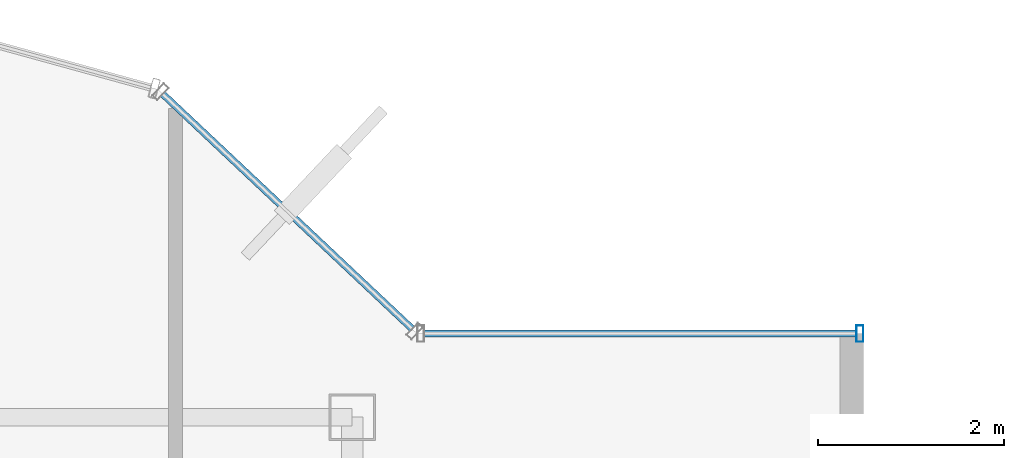
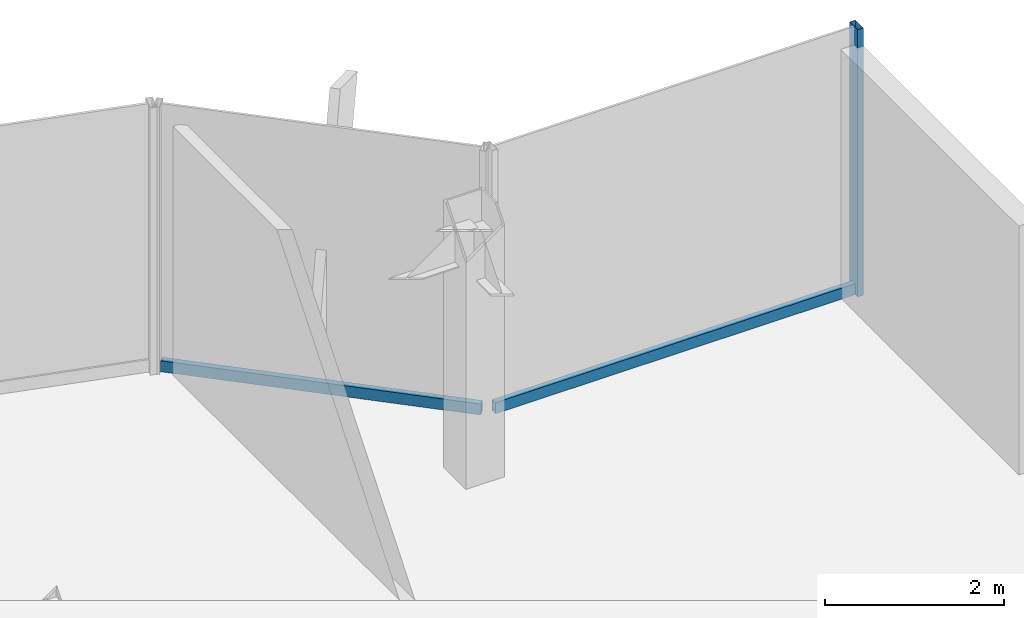
# One storey, part 15 of 22: 3 members, 2 elements without a shape of their own.
"""IFC4 building model written with IfcOpenShell, lengths in metres."""

import ifcopenshell
import ifcopenshell.guid

model = None  # the IFC model being written
_history = None  # IfcOwnerHistory: only IFC2X3 demands one
_inside = {}  # id of a spatial element -> (the spatial element, [elements in it])
_under = {}  # id of a project, library or spatial element -> (it, [spatial elements below it])
_declared = {}  # id of a project -> (the project, [libraries it declares])
_typed = {}  # id of a type object -> (the type object, [elements of that type])
_made_of = {}  # id of a material, layer set ... -> (it, [elements and type objects made of it])


def new_model(schema):
    """Start an empty IFC model of exactly this schema.

    Asked for "IFC4X3", IfcOpenShell would pick the latest addendum, in which some entities
    have other attributes; the version numbers below select the first issue.
    IFC2X3 requires an IfcOwnerHistory on every rooted entity: one is made here for all.
    """
    global model, _history
    if schema == "IFC4X3":
        model = ifcopenshell.file(schema_version=(4, 3, 0, 0))
    else:
        model = ifcopenshell.file(schema=schema)
    _inside.clear()
    _under.clear()
    _declared.clear()
    _typed.clear()
    _made_of.clear()
    _history = None
    if model.schema == "IFC2X3":
        org = make("IfcOrganization", Name="unknown")
        user = make(
            "IfcPersonAndOrganization",
            ThePerson=make("IfcPerson", FamilyName="unknown"),
            TheOrganization=org,
        )
        app = make(
            "IfcApplication",
            ApplicationDeveloper=org,
            Version="unknown",
            ApplicationFullName="unknown",
            ApplicationIdentifier="unknown",
        )
        _history = make(
            "IfcOwnerHistory",
            OwningUser=user,
            OwningApplication=app,
            ChangeAction="ADDED",
            CreationDate=0,
        )
    return model


def make(cls, **values):
    """One entity of the class cls with the attributes given. An attribute that is None is left unset."""
    return model.create_entity(
        cls, **{name: value for name, value in values.items() if value is not None}
    )


def rooted(cls, **values):
    """An entity with a GlobalId (a new one), such as an element, a storey or a relation."""
    return make(cls, GlobalId=ifcopenshell.guid.new(), OwnerHistory=_history, **values)


def si_unit(unit_type, name, prefix=None):
    """IfcSIUnit, for example si_unit("LENGTHUNIT", "METRE", prefix="MILLI")."""
    return make("IfcSIUnit", UnitType=unit_type, Prefix=prefix, Name=name)


def derived_unit(unit_type, elements):
    """IfcDerivedUnit: a product of units, each with its exponent."""
    return make(
        "IfcDerivedUnit",
        Elements=[
            make("IfcDerivedUnitElement", Unit=unit, Exponent=power)
            for unit, power in elements
        ],
        UnitType=unit_type,
    )


def assignment(units):
    """IfcUnitAssignment: the units of a project."""
    return None if units is None else make("IfcUnitAssignment", Units=units)


def point(xyz):
    """IfcCartesianPoint."""
    return None if xyz is None else make("IfcCartesianPoint", Coordinates=xyz)


def direction(xyz):
    """IfcDirection."""
    return None if xyz is None else make("IfcDirection", DirectionRatios=xyz)


def frame(location, z_axis=None, x_axis=None):
    """IfcAxis2Placement3D, a coordinate frame: its origin and axes. An axis left out is left unset."""
    return make(
        "IfcAxis2Placement3D",
        Location=point(location),
        Axis=direction(z_axis),
        RefDirection=direction(x_axis),
    )


def frame_2d(location, x_axis=None):
    """IfcAxis2Placement2D, a coordinate frame in the plane: its origin and x axis."""
    return make(
        "IfcAxis2Placement2D", Location=point(location), RefDirection=direction(x_axis)
    )


def origin():
    """The frame at (0, 0, 0) with its axes left unset."""
    return frame((0.0, 0.0, 0.0))


def origin_2d():
    """The frame at (0, 0) in the plane with its x axis left unset."""
    return frame_2d((0.0, 0.0))


def place(relative_to, where):
    """IfcLocalPlacement: puts the frame where relative to a parent placement (None: the world)."""
    return make(
        "IfcLocalPlacement", PlacementRelTo=relative_to, RelativePlacement=where
    )


def context(
    kind, dimensions, precision=None, world=None, true_north=None, identifier=None
):
    """IfcGeometricRepresentationContext, for example the 3D "Model" context."""
    return make(
        "IfcGeometricRepresentationContext",
        ContextIdentifier=identifier,
        ContextType=kind,
        CoordinateSpaceDimension=dimensions,
        Precision=precision,
        WorldCoordinateSystem=world,
        TrueNorth=true_north,
    )


def subcontext(parent, identifier, kind, view, scale=None):
    """IfcGeometricRepresentationSubContext, for example "Body" below "Model"."""
    return make(
        "IfcGeometricRepresentationSubContext",
        ContextIdentifier=identifier,
        ContextType=kind,
        ParentContext=parent,
        TargetScale=scale,
        TargetView=view,
    )


def project(units=None, contexts=None):
    """IfcProject with its units and contexts."""
    return rooted(
        "IfcProject",
        Name="project",
        RepresentationContexts=contexts,
        UnitsInContext=assignment(units),
    )


def spatial(cls, under=None, at=None, **own):
    """A site, building, storey or space (cls), placed at a placement, below another one or the project."""
    s = rooted(cls, ObjectPlacement=at, **own)
    if under is not None:
        _under.setdefault(under.id(), (under, []))[1].append(s)
    return s


def profile(cls, at=None, kind="AREA", **sizes):
    """A parametric profile (cls). Its sizes go by their IFC names, for example OverallWidth=200.0."""
    return make(cls, ProfileType=kind, Position=at, **sizes)


def hollow_rectangle(**sizes):
    """IfcRectangleHollowProfileDef."""
    return profile("IfcRectangleHollowProfileDef", **sizes)


def extrude(swept, where, along, depth):
    """IfcExtrudedAreaSolid: the profile swept, set in the frame where, extruded along a direction by depth."""
    return make(
        "IfcExtrudedAreaSolid",
        SweptArea=swept,
        Position=where,
        ExtrudedDirection=direction(along),
        Depth=depth,
    )


def shape(context_of_items, identifier, shape_type, items):
    """IfcShapeRepresentation: the items that make up one representation, for example the "Body"."""
    return make(
        "IfcShapeRepresentation",
        ContextOfItems=context_of_items,
        RepresentationIdentifier=identifier,
        RepresentationType=shape_type,
        Items=items,
    )


def source(mapping_origin, context_of_items, identifier, shape_type, items):
    """IfcRepresentationMap: a shape defined once, which mapped items show again and again."""
    return make(
        "IfcRepresentationMap",
        MappingOrigin=mapping_origin,
        MappedRepresentation=shape(context_of_items, identifier, shape_type, items),
    )


def transform(
    local_origin,
    x_axis=None,
    y_axis=None,
    z_axis=None,
    scale=None,
    scale2=None,
    scale3=None,
    uniform=True,
):
    """IfcCartesianTransformationOperator3D, or its non-uniform kind. x_axis, y_axis, z_axis: its Axis1, 2, 3."""
    if uniform:
        return make(
            "IfcCartesianTransformationOperator3D",
            Axis1=direction(x_axis),
            Axis2=direction(y_axis),
            LocalOrigin=point(local_origin),
            Scale=scale,
            Axis3=direction(z_axis),
        )
    return make(
        "IfcCartesianTransformationOperator3DnonUniform",
        Axis1=direction(x_axis),
        Axis2=direction(y_axis),
        LocalOrigin=point(local_origin),
        Scale=scale,
        Axis3=direction(z_axis),
        Scale2=scale2,
        Scale3=scale3,
    )


def mapped(mapping_source, mapping_target):
    """IfcMappedItem: shows the shape of a source again, moved by a transform."""
    return make(
        "IfcMappedItem", MappingSource=mapping_source, MappingTarget=mapping_target
    )


def material(Name=None, Category=None):
    """IfcMaterial."""
    return make("IfcMaterial", Name=Name, Category=Category)


def material_profile(
    of_material, cross_section, Name=None, Category=None, Priority=None
):
    """IfcMaterialProfile: a cross section and its material."""
    return make(
        "IfcMaterialProfile",
        Name=Name,
        Material=of_material,
        Profile=cross_section,
        Priority=Priority,
        Category=Category,
    )


def profile_set(profiles, Name=None, composite=None):
    """IfcMaterialProfileSet."""
    return make(
        "IfcMaterialProfileSet",
        Name=Name,
        MaterialProfiles=profiles,
        CompositeProfile=composite,
    )


def made_of(thing, what):
    """Note that an element or type object is made of a material, layer set ...; save() writes the relation."""
    if what is not None:
        _made_of.setdefault(what.id(), (what, []))[1].append(thing)
    return thing


def type_object(cls, material=None, **own):
    """A type object (cls), such as IfcWallType, which elements share."""
    return made_of(rooted(cls, **own), material)


def element(
    cls,
    number,
    at=None,
    inside=None,
    cuts=None,
    type_object=None,
    material=None,
    context=None,
    identifier="Body",
    shape_type=None,
    held_by="IfcProductDefinitionShape",
    body=None,
    shapes=None,
    **own,
):
    """One element of the class cls, such as IfcWall. Its Tag is "e" and its number.

    at: its placement. inside: the storey or other place that contains it. cuts: it is an
    opening in that element (IfcRelVoidsElement). A single representation is given by context,
    identifier, shape_type and body (its items); several are given by shapes. held_by: the class
    of the entity that holds the representations. save() writes the other relations.
    """
    e = rooted(cls, Tag="e%d" % number, ObjectPlacement=at, **own)
    if body is not None:
        shapes = [shape(context, identifier, shape_type, body)]
    if shapes is not None:
        e.Representation = make(held_by, Representations=shapes)
    if inside is not None:
        _inside.setdefault(inside.id(), (inside, []))[1].append(e)
    if cuts is not None:
        rooted(
            "IfcRelVoidsElement", RelatingBuildingElement=cuts, RelatedOpeningElement=e
        )
    if type_object is not None:
        _typed.setdefault(type_object.id(), (type_object, []))[1].append(e)
    return made_of(e, material)


def aggregate(whole, parts):
    """IfcRelAggregates: a whole, such as a stair, and the parts it consists of."""
    return rooted("IfcRelAggregates", RelatingObject=whole, RelatedObjects=parts)


def save(model, path):
    """Write the relations noted so far, then the file.

    IfcRelAggregates (storeys below a building ...), IfcRelContainedInSpatialStructure (elements
    in a storey), IfcRelDefinesByType, IfcRelAssociatesMaterial and IfcRelDeclares: one each for
    every whole, place, type object, material and project.
    """
    for whole, parts in _under.values():
        aggregate(whole, parts)
    for where, things in _inside.values():
        rooted(
            "IfcRelContainedInSpatialStructure",
            RelatedElements=things,
            RelatingStructure=where,
        )
    for kind, things in _typed.values():
        rooted("IfcRelDefinesByType", RelatedObjects=things, RelatingType=kind)
    for what, things in _made_of.values():
        rooted("IfcRelAssociatesMaterial", RelatedObjects=things, RelatingMaterial=what)
    for by, libraries in _declared.values():
        rooted("IfcRelDeclares", RelatingContext=by, RelatedDefinitions=libraries)
    model.write(path)


model = new_model("IFC4")

# Units and contexts
model_context = context("Model", 3, precision=1e-05, world=origin(), true_north=direction((0.0, 1.0)))
body_context = subcontext(model_context, "Body", "Model", "MODEL_VIEW")
ifc_project = project(units=[si_unit("LENGTHUNIT", "METRE"), si_unit("AREAUNIT", "SQUARE_METRE"), si_unit("VOLUMEUNIT", "CUBIC_METRE"), si_unit("PLANEANGLEUNIT", "RADIAN"), si_unit("MASSUNIT", "GRAM", prefix="KILO"), derived_unit("THERMALTRANSMITTANCEUNIT", [(si_unit("POWERUNIT", "WATT"), 1), (si_unit("LENGTHUNIT", "METRE"), -2), (si_unit("THERMODYNAMICTEMPERATUREUNIT", "KELVIN"), -1)])], contexts=[model_context])

# Site, building, storey
site_placement = place(None, origin())
site = spatial("IfcSite", under=ifc_project, at=site_placement, CompositionType="ELEMENT")
building_placement = place(site_placement, origin())
building = spatial("IfcBuilding", under=site, at=building_placement, Name="Skarnbrae Concourse Arena and Tower", CompositionType="ELEMENT")
storey_placement = place(building_placement, frame((0.0, 0.0, 206.85009765625)))
storey = spatial("IfcBuildingStorey", under=building, at=storey_placement, Name="L53", CompositionType="ELEMENT", Elevation=206.85009765625)

# Curtain wall, members
ifc_material = material(Name="Bronze anodised aluminium 6063-T6", Category="aluminium")
curtain_wall_type = type_object("IfcCurtainWallType", Name="CW-SYS-05-HIGHZONE", PredefinedType="USERDEFINED", material=ifc_material)
curtain_wall_1_placement = place(storey_placement, origin())
curtain_wall_1 = element("IfcCurtainWall", 1, at=curtain_wall_1_placement, inside=storey, type_object=curtain_wall_type, Name="L53 Unitised curtain wall CW-L53-E07", ObjectType="UNITISED CURTAIN WALL", PredefinedType="USERDEFINED")
ifc_material_profile_1 = material_profile(ifc_material, hollow_rectangle(XDim=0.074951171875, YDim=0.179931640625, WallThickness=0.00390625, at=origin_2d()), Name="ALU-MULL-75X180")
ifc_profile_set_1 = profile_set([ifc_material_profile_1], Name="Bronze anodised aluminium 6063-T6")
member_type_1 = type_object("IfcMemberType", Name="CWM-CW-05", PredefinedType="MULLION", material=ifc_profile_set_1)
shared_shape_1 = source(origin(), body_context, "Body", "SweptSolid", [
    extrude(hollow_rectangle(XDim=0.074951171875, YDim=0.179931640625, WallThickness=0.00390625, at=origin_2d()), origin(), (0.0, 0.0, 1.0), 3.64990234375),
])
member_1_placement = place(storey_placement, frame((38.96240234375, 35.300048828125, 0.0), z_axis=(0.0, 0.0, 1.0), x_axis=(-1.0, 0.0, 0.0)))
member_1 = element("IfcMember", 2, at=member_1_placement, type_object=member_type_1, Name="CW-L53-E07 Mullion 1", PredefinedType="MULLION", context=body_context, shape_type="MappedRepresentation", body=[
    mapped(shared_shape_1, transform((0.0, 0.0, 0.0))),
])
ifc_material_profile_2 = material_profile(ifc_material, hollow_rectangle(XDim=0.074951171875, YDim=0.14990234375, WallThickness=0.00390625, at=origin_2d()), Name="ALU-TRAN-75X150")
ifc_profile_set_2 = profile_set([ifc_material_profile_2], Name="Bronze anodised aluminium 6063-T6")
member_type_2 = type_object("IfcMemberType", Name="CWT-CW-05", PredefinedType="USERDEFINED", material=ifc_profile_set_2)
shared_shape_2 = source(origin(), body_context, "Body", "SweptSolid", [
    extrude(hollow_rectangle(XDim=0.074951171875, YDim=0.14990234375, WallThickness=0.00390625, at=origin_2d()), origin(), (0.0, 0.0, 1.0), 4.650146484375),
])
member_2_placement = place(storey_placement, frame((38.925048828125, 35.300048828125, 0.074951171875), z_axis=(-1.0, 0.0, 0.0), x_axis=(0.0, -1.0, 0.0)))
member_2 = element("IfcMember", 3, at=member_2_placement, type_object=member_type_2, Name="CW-L53-E07 Transom 1", ObjectType="TRANSOM", PredefinedType="USERDEFINED", context=body_context, shape_type="MappedRepresentation", body=[
    mapped(shared_shape_2, transform((0.0, 0.0, 0.0))),
])
aggregate(curtain_wall_1, [member_1, member_2])

# Curtain wall, member
curtain_wall_2_placement = place(storey_placement, origin())
curtain_wall_2 = element("IfcCurtainWall", 4, at=curtain_wall_2_placement, inside=storey, type_object=curtain_wall_type, Name="L53 Unitised curtain wall CW-L53-E08", ObjectType="UNITISED CURTAIN WALL", PredefinedType="USERDEFINED")
shared_shape_3 = source(origin(), body_context, "Body", "SweptSolid", [
    extrude(hollow_rectangle(XDim=0.074951171875, YDim=0.14990234375, WallThickness=0.00390625, at=origin_2d()), origin(), (0.0, 0.0, 1.0), 3.68212890625),
])
member_3_placement = place(storey_placement, frame((34.1455078125, 35.351318359375, 0.074951171875), z_axis=(-0.728133808476, 0.685435012933, 0.0), x_axis=(-0.685435012933, -0.728133808476, 0.0)))
member_3 = element("IfcMember", 5, at=member_3_placement, type_object=member_type_2, Name="CW-L53-E08 Transom 1", ObjectType="TRANSOM", PredefinedType="USERDEFINED", context=body_context, shape_type="MappedRepresentation", body=[
    mapped(shared_shape_3, transform((0.0, 0.0, 0.0))),
])
aggregate(curtain_wall_2, [member_3])

save(model, "model.ifc")
